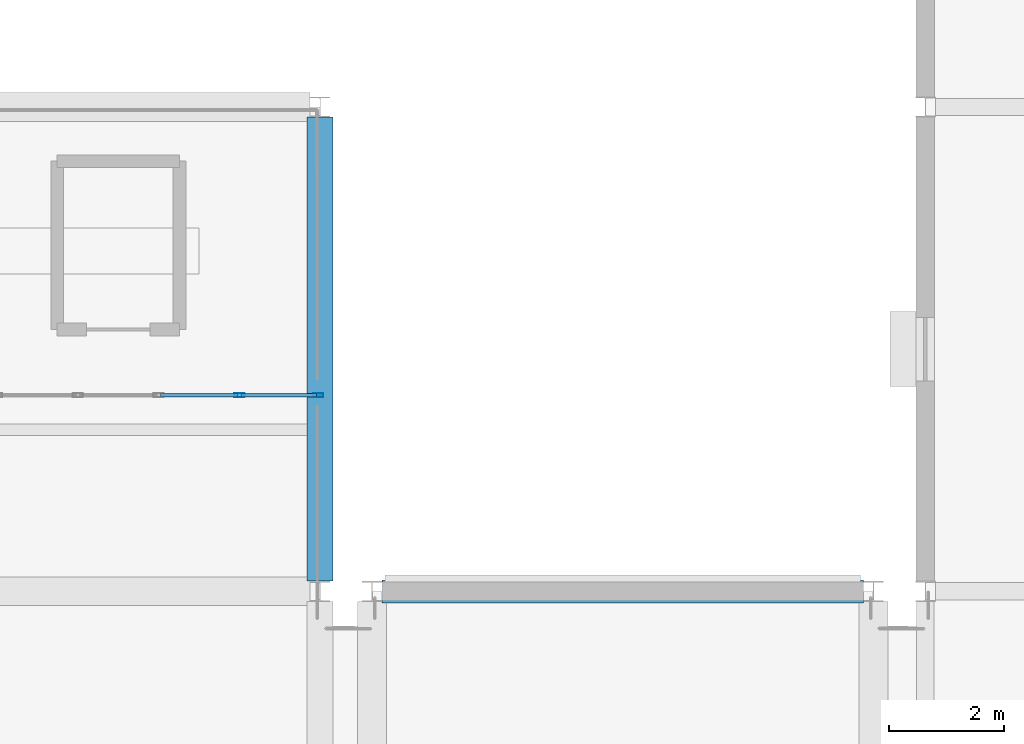
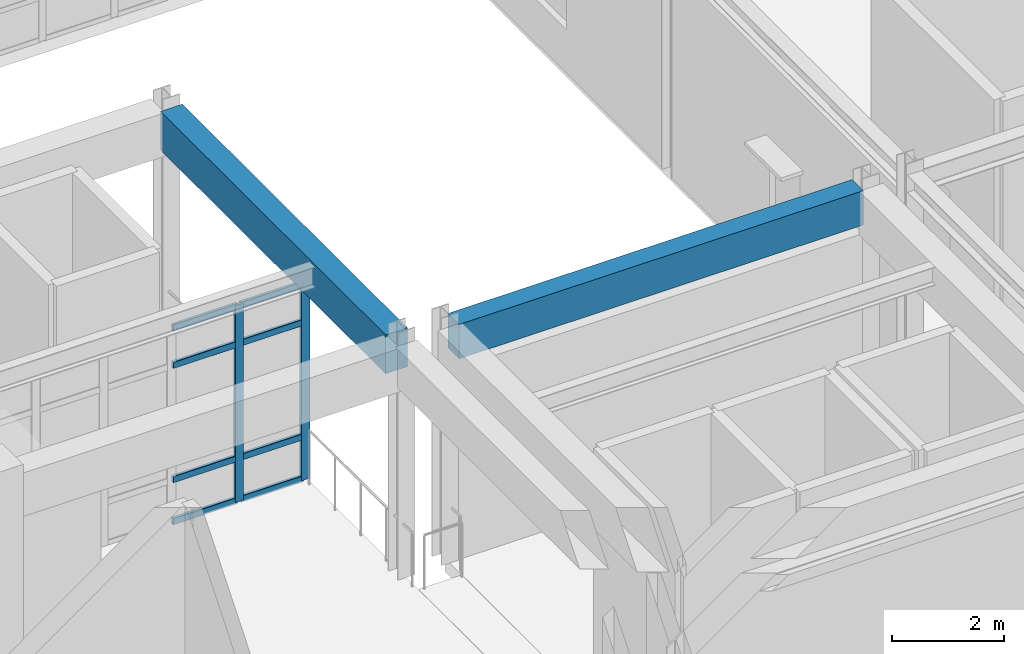
# One storey, part 8 of 80: 10 members, 2 beams, 1 element without a shape of its own.
"""IFC4 building model written with IfcOpenShell, lengths in metres."""

import ifcopenshell
import ifcopenshell.guid

model = None  # the IFC model being written
_history = None  # IfcOwnerHistory: only IFC2X3 demands one
_inside = {}  # id of a spatial element -> (the spatial element, [elements in it])
_under = {}  # id of a project, library or spatial element -> (it, [spatial elements below it])
_declared = {}  # id of a project -> (the project, [libraries it declares])
_typed = {}  # id of a type object -> (the type object, [elements of that type])
_made_of = {}  # id of a material, layer set ... -> (it, [elements and type objects made of it])


def new_model(schema):
    """Start an empty IFC model of exactly this schema.

    Asked for "IFC4X3", IfcOpenShell would pick the latest addendum, in which some entities
    have other attributes; the version numbers below select the first issue.
    IFC2X3 requires an IfcOwnerHistory on every rooted entity: one is made here for all.
    """
    global model, _history
    if schema == "IFC4X3":
        model = ifcopenshell.file(schema_version=(4, 3, 0, 0))
    else:
        model = ifcopenshell.file(schema=schema)
    _inside.clear()
    _under.clear()
    _declared.clear()
    _typed.clear()
    _made_of.clear()
    _history = None
    if model.schema == "IFC2X3":
        org = make("IfcOrganization", Name="unknown")
        user = make(
            "IfcPersonAndOrganization",
            ThePerson=make("IfcPerson", FamilyName="unknown"),
            TheOrganization=org,
        )
        app = make(
            "IfcApplication",
            ApplicationDeveloper=org,
            Version="unknown",
            ApplicationFullName="unknown",
            ApplicationIdentifier="unknown",
        )
        _history = make(
            "IfcOwnerHistory",
            OwningUser=user,
            OwningApplication=app,
            ChangeAction="ADDED",
            CreationDate=0,
        )
    return model


def make(cls, **values):
    """One entity of the class cls with the attributes given. An attribute that is None is left unset."""
    return model.create_entity(
        cls, **{name: value for name, value in values.items() if value is not None}
    )


def rooted(cls, **values):
    """An entity with a GlobalId (a new one), such as an element, a storey or a relation."""
    return make(cls, GlobalId=ifcopenshell.guid.new(), OwnerHistory=_history, **values)


def si_unit(unit_type, name, prefix=None):
    """IfcSIUnit, for example si_unit("LENGTHUNIT", "METRE", prefix="MILLI")."""
    return make("IfcSIUnit", UnitType=unit_type, Prefix=prefix, Name=name)


def assignment(units):
    """IfcUnitAssignment: the units of a project."""
    return None if units is None else make("IfcUnitAssignment", Units=units)


def point(xyz):
    """IfcCartesianPoint."""
    return None if xyz is None else make("IfcCartesianPoint", Coordinates=xyz)


def direction(xyz):
    """IfcDirection."""
    return None if xyz is None else make("IfcDirection", DirectionRatios=xyz)


def frame(location, z_axis=None, x_axis=None):
    """IfcAxis2Placement3D, a coordinate frame: its origin and axes. An axis left out is left unset."""
    return make(
        "IfcAxis2Placement3D",
        Location=point(location),
        Axis=direction(z_axis),
        RefDirection=direction(x_axis),
    )


def frame_2d(location, x_axis=None):
    """IfcAxis2Placement2D, a coordinate frame in the plane: its origin and x axis."""
    return make(
        "IfcAxis2Placement2D", Location=point(location), RefDirection=direction(x_axis)
    )


def origin():
    """The frame at (0, 0, 0) with its axes left unset."""
    return frame((0.0, 0.0, 0.0))


def origin_2d():
    """The frame at (0, 0) in the plane with its x axis left unset."""
    return frame_2d((0.0, 0.0))


def place(relative_to, where):
    """IfcLocalPlacement: puts the frame where relative to a parent placement (None: the world)."""
    return make(
        "IfcLocalPlacement", PlacementRelTo=relative_to, RelativePlacement=where
    )


def context(
    kind, dimensions, precision=None, world=None, true_north=None, identifier=None
):
    """IfcGeometricRepresentationContext, for example the 3D "Model" context."""
    return make(
        "IfcGeometricRepresentationContext",
        ContextIdentifier=identifier,
        ContextType=kind,
        CoordinateSpaceDimension=dimensions,
        Precision=precision,
        WorldCoordinateSystem=world,
        TrueNorth=true_north,
    )


def subcontext(parent, identifier, kind, view, scale=None):
    """IfcGeometricRepresentationSubContext, for example "Body" below "Model"."""
    return make(
        "IfcGeometricRepresentationSubContext",
        ContextIdentifier=identifier,
        ContextType=kind,
        ParentContext=parent,
        TargetScale=scale,
        TargetView=view,
    )


def project(units=None, contexts=None):
    """IfcProject with its units and contexts."""
    return rooted(
        "IfcProject",
        Name="project",
        RepresentationContexts=contexts,
        UnitsInContext=assignment(units),
    )


def spatial(cls, under=None, at=None, **own):
    """A site, building, storey or space (cls), placed at a placement, below another one or the project."""
    s = rooted(cls, ObjectPlacement=at, **own)
    if under is not None:
        _under.setdefault(under.id(), (under, []))[1].append(s)
    return s


def profile(cls, at=None, kind="AREA", **sizes):
    """A parametric profile (cls). Its sizes go by their IFC names, for example OverallWidth=200.0."""
    return make(cls, ProfileType=kind, Position=at, **sizes)


def rectangle(**sizes):
    """IfcRectangleProfileDef."""
    return profile("IfcRectangleProfileDef", **sizes)


def hollow_rectangle(**sizes):
    """IfcRectangleHollowProfileDef."""
    return profile("IfcRectangleHollowProfileDef", **sizes)


def extrude(swept, where, along, depth):
    """IfcExtrudedAreaSolid: the profile swept, set in the frame where, extruded along a direction by depth."""
    return make(
        "IfcExtrudedAreaSolid",
        SweptArea=swept,
        Position=where,
        ExtrudedDirection=direction(along),
        Depth=depth,
    )


def shape(context_of_items, identifier, shape_type, items):
    """IfcShapeRepresentation: the items that make up one representation, for example the "Body"."""
    return make(
        "IfcShapeRepresentation",
        ContextOfItems=context_of_items,
        RepresentationIdentifier=identifier,
        RepresentationType=shape_type,
        Items=items,
    )


def material(Name=None, Category=None):
    """IfcMaterial."""
    return make("IfcMaterial", Name=Name, Category=Category)


def material_profile(
    of_material, cross_section, Name=None, Category=None, Priority=None
):
    """IfcMaterialProfile: a cross section and its material."""
    return make(
        "IfcMaterialProfile",
        Name=Name,
        Material=of_material,
        Profile=cross_section,
        Priority=Priority,
        Category=Category,
    )


def profile_set(profiles, Name=None, composite=None):
    """IfcMaterialProfileSet."""
    return make(
        "IfcMaterialProfileSet",
        Name=Name,
        MaterialProfiles=profiles,
        CompositeProfile=composite,
    )


def made_of(thing, what):
    """Note that an element or type object is made of a material, layer set ...; save() writes the relation."""
    if what is not None:
        _made_of.setdefault(what.id(), (what, []))[1].append(thing)
    return thing


def type_object(cls, material=None, **own):
    """A type object (cls), such as IfcWallType, which elements share."""
    return made_of(rooted(cls, **own), material)


def element(
    cls,
    number,
    at=None,
    inside=None,
    cuts=None,
    type_object=None,
    material=None,
    context=None,
    identifier="Body",
    shape_type=None,
    held_by="IfcProductDefinitionShape",
    body=None,
    shapes=None,
    **own,
):
    """One element of the class cls, such as IfcWall. Its Tag is "e" and its number.

    at: its placement. inside: the storey or other place that contains it. cuts: it is an
    opening in that element (IfcRelVoidsElement). A single representation is given by context,
    identifier, shape_type and body (its items); several are given by shapes. held_by: the class
    of the entity that holds the representations. save() writes the other relations.
    """
    e = rooted(cls, Tag="e%d" % number, ObjectPlacement=at, **own)
    if body is not None:
        shapes = [shape(context, identifier, shape_type, body)]
    if shapes is not None:
        e.Representation = make(held_by, Representations=shapes)
    if inside is not None:
        _inside.setdefault(inside.id(), (inside, []))[1].append(e)
    if cuts is not None:
        rooted(
            "IfcRelVoidsElement", RelatingBuildingElement=cuts, RelatedOpeningElement=e
        )
    if type_object is not None:
        _typed.setdefault(type_object.id(), (type_object, []))[1].append(e)
    return made_of(e, material)


def aggregate(whole, parts):
    """IfcRelAggregates: a whole, such as a stair, and the parts it consists of."""
    return rooted("IfcRelAggregates", RelatingObject=whole, RelatedObjects=parts)


def save(model, path):
    """Write the relations noted so far, then the file.

    IfcRelAggregates (storeys below a building ...), IfcRelContainedInSpatialStructure (elements
    in a storey), IfcRelDefinesByType, IfcRelAssociatesMaterial and IfcRelDeclares: one each for
    every whole, place, type object, material and project.
    """
    for whole, parts in _under.values():
        aggregate(whole, parts)
    for where, things in _inside.values():
        rooted(
            "IfcRelContainedInSpatialStructure",
            RelatedElements=things,
            RelatingStructure=where,
        )
    for kind, things in _typed.values():
        rooted("IfcRelDefinesByType", RelatedObjects=things, RelatingType=kind)
    for what, things in _made_of.values():
        rooted("IfcRelAssociatesMaterial", RelatedObjects=things, RelatingMaterial=what)
    for by, libraries in _declared.values():
        rooted("IfcRelDeclares", RelatingContext=by, RelatedDefinitions=libraries)
    model.write(path)


model = new_model("IFC4")

# Units and contexts
model_context = context("Model", 3, precision=1e-05, world=origin(), true_north=direction((0.0, 1.0)))
body_context = subcontext(model_context, "Body", "Model", "MODEL_VIEW")
ifc_project = project(units=[si_unit("LENGTHUNIT", "METRE"), si_unit("AREAUNIT", "SQUARE_METRE"), si_unit("VOLUMEUNIT", "CUBIC_METRE"), si_unit("PLANEANGLEUNIT", "RADIAN"), si_unit("MASSUNIT", "GRAM", prefix="KILO")], contexts=[model_context])

# Site, building, storey
site_placement = place(None, origin())
site = spatial("IfcSite", under=ifc_project, at=site_placement, CompositionType="ELEMENT")
building_placement = place(site_placement, origin())
building = spatial("IfcBuilding", under=site, at=building_placement, Name="Canglan Escarpment Cableway Terminal", CompositionType="ELEMENT")
storey_placement = place(building_placement, frame((0.0, 0.0, 19.199951171875)))
storey = spatial("IfcBuildingStorey", under=building, at=storey_placement, Name="L04", CompositionType="ELEMENT", Elevation=19.199951171875)

# Beam
ifc_material_1 = material(Name="Concrete C40", Category="concrete")
ifc_material_profile_1 = material_profile(ifc_material_1, rectangle(XDim=0.449951171875, YDim=0.85009765625, at=origin_2d()), Name="RC 450x850")
ifc_profile_set_1 = profile_set([ifc_material_profile_1], Name="Concrete C40")
beam_type_1 = type_object("IfcBeamType", Name="BM-RC450x850", PredefinedType="BEAM", material=ifc_profile_set_1)
beam_1_placement = place(storey_placement, frame((136.699951171875, 16.574951171875, 4.735107421875), z_axis=(0.0, 1.0, 0.0), x_axis=(-1.0, 0.0, 0.0)))
element("IfcBeam", 1, at=beam_1_placement, inside=storey, type_object=beam_type_1, Name="Primary transverse girder B-02", PredefinedType="BEAM", context=body_context, shape_type="SweptSolid", body=[
    extrude(rectangle(XDim=0.449951171875, YDim=0.85009765625, at=origin_2d()), origin(), (0.0, 0.0, 1.0), 8.050048828125),
])

# Curtain wall, members
ifc_material_2 = material(Name="Anodized bronze aluminium and Low-E double glazing", Category="aluminium")
curtain_wall_type = type_object("IfcCurtainWallType", Name="CW-BAY-8400x4300", PredefinedType="NOTDEFINED", material=ifc_material_2)
curtain_wall_placement = place(storey_placement, origin())
curtain_wall = element("IfcCurtainWall", 2, at=curtain_wall_placement, inside=storey, type_object=curtain_wall_type, Name="Classical bay-between-piers glazed curtain wall CW-20", PredefinedType="NOTDEFINED")
ifc_material_3 = material(Name="Thermally broken anodized aluminium 6063-T6", Category="aluminium")
ifc_material_profile_2 = material_profile(ifc_material_3, hollow_rectangle(XDim=0.06494140625, YDim=0.179931640625, WallThickness=0.00390625, InnerFilletRadius=0.00390625, OuterFilletRadius=0.008056640625, at=origin_2d()), Name="ALU-MULL 65x180x4")
ifc_profile_set_2 = profile_set([ifc_material_profile_2], Name="Thermally broken anodized aluminium 6063-T6")
member_type_1 = type_object("IfcMemberType", Name="CWM-03", PredefinedType="MULLION", material=ifc_profile_set_2)
member_1_placement = place(storey_placement, frame((136.66748046875, 19.800048828125, 0.0), z_axis=(0.0, 0.0, 1.0), x_axis=(0.0, -1.0, 0.0)))
member_1 = element("IfcMember", 3, at=member_1_placement, type_object=member_type_1, Name="CW-20 mullion 1", PredefinedType="MULLION", context=body_context, shape_type="SweptSolid", body=[
    extrude(hollow_rectangle(XDim=0.06494140625, YDim=0.179931640625, WallThickness=0.00390625, InnerFilletRadius=0.00390625, OuterFilletRadius=0.008056640625, at=origin_2d()), origin(), (0.0, 0.0, 1.0), 4.295166015625),
])
member_2_placement = place(storey_placement, frame((135.300048828125, 19.800048828125, 0.0), z_axis=(0.0, 0.0, 1.0), x_axis=(0.0, -1.0, 0.0)))
member_2 = element("IfcMember", 4, at=member_2_placement, type_object=member_type_1, Name="CW-20 mullion 2", PredefinedType="MULLION", context=body_context, shape_type="SweptSolid", body=[
    extrude(hollow_rectangle(XDim=0.06494140625, YDim=0.179931640625, WallThickness=0.00390625, InnerFilletRadius=0.00390625, OuterFilletRadius=0.008056640625, at=origin_2d()), origin(), (0.0, 0.0, 1.0), 4.295166015625),
])
ifc_material_profile_3 = material_profile(ifc_material_3, hollow_rectangle(XDim=0.06494140625, YDim=0.139892578125, WallThickness=0.00341796875, InnerFilletRadius=0.00341796875, OuterFilletRadius=0.007080078125, at=origin_2d()), Name="ALU-TRAN 65x140x3.5")
ifc_profile_set_3 = profile_set([ifc_material_profile_3], Name="Thermally broken anodized aluminium 6063-T6")
member_type_2 = type_object("IfcMemberType", Name="CWT-03", PredefinedType="USERDEFINED", material=ifc_profile_set_3)
member_3_placement = place(storey_placement, frame((136.635009765625, 19.800048828125, 0.032470703125), z_axis=(-1.0, 0.0, 0.0), x_axis=(0.0, -1.0, 0.0)))
member_3 = element("IfcMember", 5, at=member_3_placement, type_object=member_type_2, Name="CW-20 transom 1.1", ObjectType="TRANSOM", PredefinedType="USERDEFINED", context=body_context, shape_type="SweptSolid", body=[
    extrude(hollow_rectangle(XDim=0.06494140625, YDim=0.139892578125, WallThickness=0.00341796875, InnerFilletRadius=0.00341796875, OuterFilletRadius=0.007080078125, at=origin_2d()), origin(), (0.0, 0.0, 1.0), 1.302490234375),
])
member_4_placement = place(storey_placement, frame((136.635009765625, 19.800048828125, 0.949951171875), z_axis=(-1.0, 0.0, 0.0), x_axis=(0.0, -1.0, 0.0)))
member_4 = element("IfcMember", 6, at=member_4_placement, type_object=member_type_2, Name="CW-20 transom 1.2", ObjectType="TRANSOM", PredefinedType="USERDEFINED", context=body_context, shape_type="SweptSolid", body=[
    extrude(hollow_rectangle(XDim=0.06494140625, YDim=0.139892578125, WallThickness=0.00341796875, InnerFilletRadius=0.00341796875, OuterFilletRadius=0.007080078125, at=origin_2d()), origin(), (0.0, 0.0, 1.0), 1.302490234375),
])
member_5_placement = place(storey_placement, frame((136.635009765625, 19.800048828125, 3.445068359375), z_axis=(-1.0, 0.0, 0.0), x_axis=(0.0, -1.0, 0.0)))
member_5 = element("IfcMember", 7, at=member_5_placement, type_object=member_type_2, Name="CW-20 transom 1.3", ObjectType="TRANSOM", PredefinedType="USERDEFINED", context=body_context, shape_type="SweptSolid", body=[
    extrude(hollow_rectangle(XDim=0.06494140625, YDim=0.139892578125, WallThickness=0.00341796875, InnerFilletRadius=0.00341796875, OuterFilletRadius=0.007080078125, at=origin_2d()), origin(), (0.0, 0.0, 1.0), 1.302490234375),
])
member_6_placement = place(storey_placement, frame((136.635009765625, 19.800048828125, 4.262451171875), z_axis=(-1.0, 0.0, 0.0), x_axis=(0.0, -1.0, 0.0)))
member_6 = element("IfcMember", 8, at=member_6_placement, type_object=member_type_2, Name="CW-20 transom 1.4", ObjectType="TRANSOM", PredefinedType="USERDEFINED", context=body_context, shape_type="SweptSolid", body=[
    extrude(hollow_rectangle(XDim=0.06494140625, YDim=0.139892578125, WallThickness=0.00341796875, InnerFilletRadius=0.00341796875, OuterFilletRadius=0.007080078125, at=origin_2d()), origin(), (0.0, 0.0, 1.0), 1.302490234375),
])
member_7_placement = place(storey_placement, frame((135.267578125, 19.800048828125, 0.032470703125), z_axis=(-1.0, 0.0, 0.0), x_axis=(0.0, -1.0, 0.0)))
member_7 = element("IfcMember", 9, at=member_7_placement, type_object=member_type_2, Name="CW-20 transom 2.1", ObjectType="TRANSOM", PredefinedType="USERDEFINED", context=body_context, shape_type="SweptSolid", body=[
    extrude(hollow_rectangle(XDim=0.06494140625, YDim=0.139892578125, WallThickness=0.00341796875, InnerFilletRadius=0.00341796875, OuterFilletRadius=0.007080078125, at=origin_2d()), origin(), (0.0, 0.0, 1.0), 1.3349609375),
])
member_8_placement = place(storey_placement, frame((135.267578125, 19.800048828125, 0.949951171875), z_axis=(-1.0, 0.0, 0.0), x_axis=(0.0, -1.0, 0.0)))
member_8 = element("IfcMember", 10, at=member_8_placement, type_object=member_type_2, Name="CW-20 transom 2.2", ObjectType="TRANSOM", PredefinedType="USERDEFINED", context=body_context, shape_type="SweptSolid", body=[
    extrude(hollow_rectangle(XDim=0.06494140625, YDim=0.139892578125, WallThickness=0.00341796875, InnerFilletRadius=0.00341796875, OuterFilletRadius=0.007080078125, at=origin_2d()), origin(), (0.0, 0.0, 1.0), 1.3349609375),
])
member_9_placement = place(storey_placement, frame((135.267578125, 19.800048828125, 3.445068359375), z_axis=(-1.0, 0.0, 0.0), x_axis=(0.0, -1.0, 0.0)))
member_9 = element("IfcMember", 11, at=member_9_placement, type_object=member_type_2, Name="CW-20 transom 2.3", ObjectType="TRANSOM", PredefinedType="USERDEFINED", context=body_context, shape_type="SweptSolid", body=[
    extrude(hollow_rectangle(XDim=0.06494140625, YDim=0.139892578125, WallThickness=0.00341796875, InnerFilletRadius=0.00341796875, OuterFilletRadius=0.007080078125, at=origin_2d()), origin(), (0.0, 0.0, 1.0), 1.3349609375),
])
member_10_placement = place(storey_placement, frame((135.267578125, 19.800048828125, 4.262451171875), z_axis=(-1.0, 0.0, 0.0), x_axis=(0.0, -1.0, 0.0)))
member_10 = element("IfcMember", 12, at=member_10_placement, type_object=member_type_2, Name="CW-20 transom 2.4", ObjectType="TRANSOM", PredefinedType="USERDEFINED", context=body_context, shape_type="SweptSolid", body=[
    extrude(hollow_rectangle(XDim=0.06494140625, YDim=0.139892578125, WallThickness=0.00341796875, InnerFilletRadius=0.00341796875, OuterFilletRadius=0.007080078125, at=origin_2d()), origin(), (0.0, 0.0, 1.0), 1.3349609375),
])
aggregate(curtain_wall, [member_1, member_2, member_3, member_4, member_5, member_6, member_7, member_8, member_9, member_10])

# Beam
ifc_material_profile_4 = material_profile(ifc_material_1, rectangle(XDim=0.39990234375, YDim=0.75, at=origin_2d()), Name="RC 400x750")
ifc_profile_set_4 = profile_set([ifc_material_profile_4], Name="Concrete C40")
beam_type_2 = type_object("IfcBeamType", Name="SP-RC400x750", PredefinedType="SPANDREL", material=ifc_profile_set_4)
beam_2_placement = place(storey_placement, frame((137.77490234375, 16.39990234375, 4.78515625), z_axis=(1.0, 0.0, 0.0), x_axis=(0.0, 1.0, 0.0)))
element("IfcBeam", 13, at=beam_2_placement, inside=storey, type_object=beam_type_2, Name="Primary structural girder SP-01", PredefinedType="SPANDREL", context=body_context, shape_type="SweptSolid", body=[
    extrude(rectangle(XDim=0.39990234375, YDim=0.75, at=origin_2d()), origin(), (0.0, 0.0, 1.0), 8.35009765625),
])

save(model, "model.ifc")
